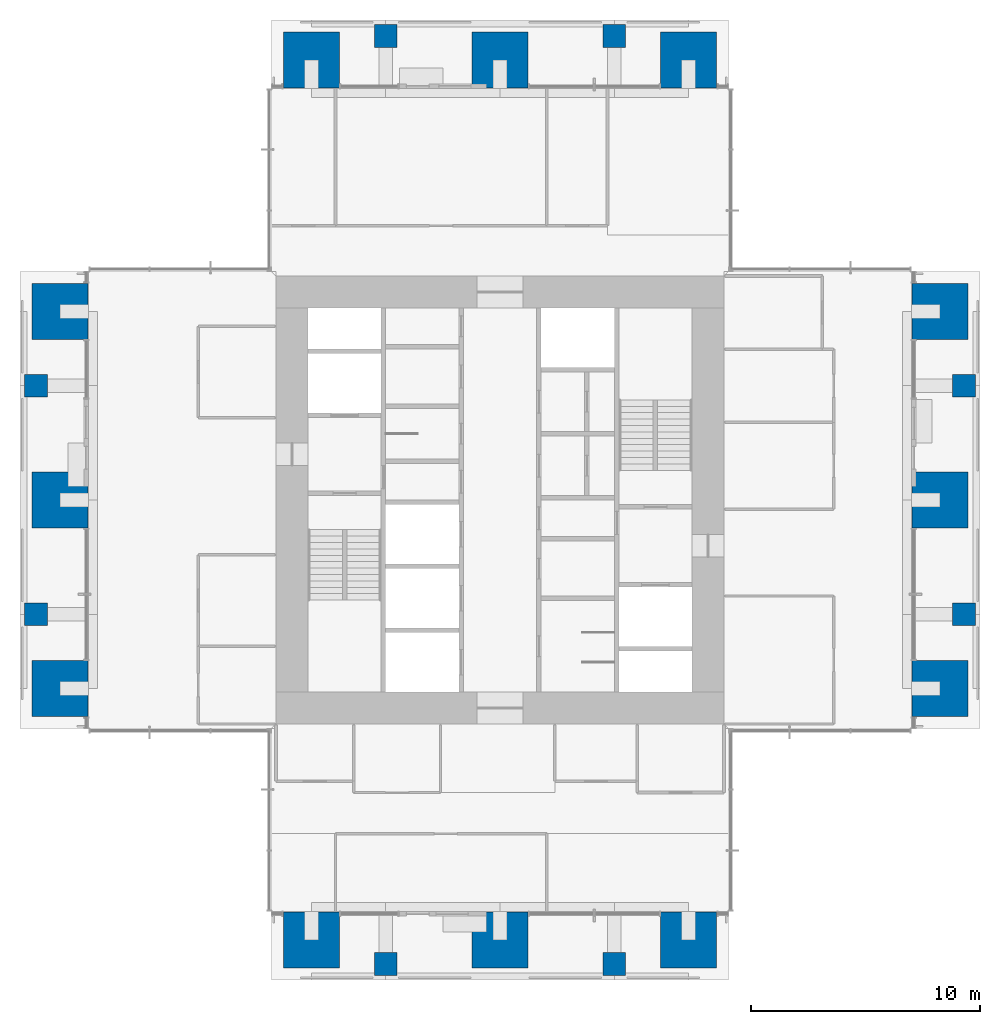
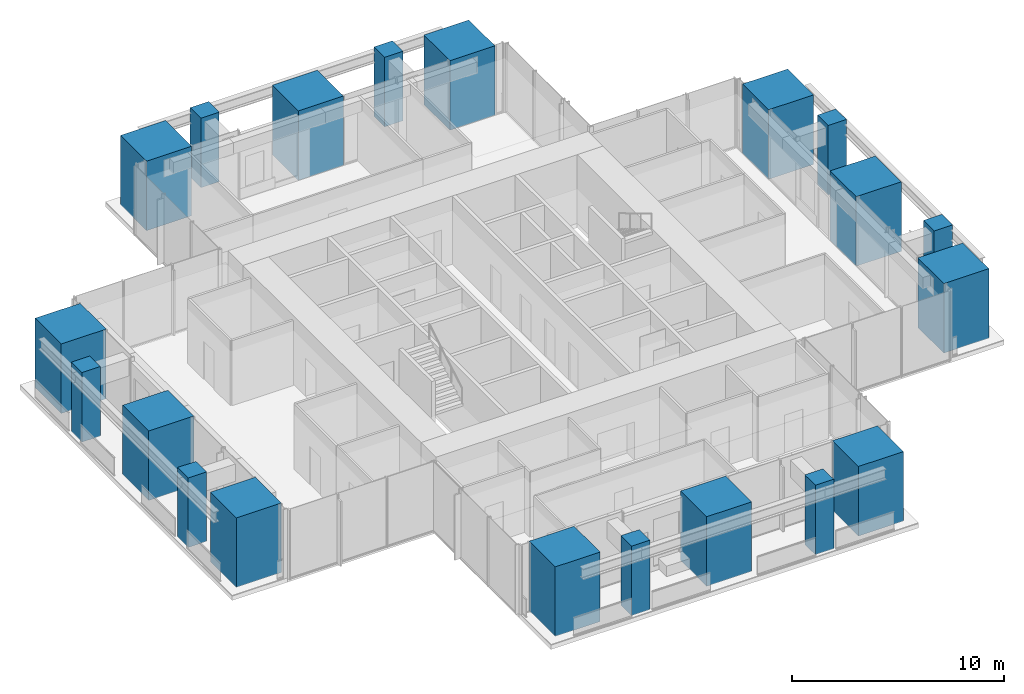
# One storey, part 1 of 17: 20 columns.
"""IFC4 building model written with IfcOpenShell, lengths in metres."""

from ifc_helpers import new_model, si_unit, direction, frame, origin, origin_2d, place, context, subcontext, project, spatial, rectangle, extrude, material, material_profile, profile_set, type_object, element, save


model = new_model("IFC4")

# Units and contexts
model_context = context("Model", 3, precision=1e-05, world=origin(), true_north=direction((0.0, 1.0)))
body_context = subcontext(model_context, "Body", "Model", "MODEL_VIEW")
ifc_project = project(units=[si_unit("LENGTHUNIT", "METRE"), si_unit("AREAUNIT", "SQUARE_METRE"), si_unit("VOLUMEUNIT", "CUBIC_METRE"), si_unit("PLANEANGLEUNIT", "RADIAN"), si_unit("MASSUNIT", "GRAM", prefix="KILO")], contexts=[model_context])

# Site, building, storey
site_placement = place(None, origin())
site = spatial("IfcSite", under=ifc_project, at=site_placement, CompositionType="ELEMENT")
building_placement = place(site_placement, origin())
building = spatial("IfcBuilding", under=site, at=building_placement, Name="Svetlomir Tower", CompositionType="ELEMENT")
storey_placement = place(building_placement, frame((0.0, 0.0, 190.5)))
storey = spatial("IfcBuildingStorey", under=building, at=storey_placement, Name="L45", CompositionType="ELEMENT", Elevation=190.5)

# Columns
ifc_material_1 = material(Name="Concrete C60/75", Category="concrete")
ifc_material_profile_1 = material_profile(ifc_material_1, rectangle(XDim=1.0, YDim=1.0, at=origin_2d()), Name="RC 1000x1000")
ifc_profile_set_1 = profile_set([ifc_material_profile_1], Name="Concrete C60/75")
column_type_1 = type_object("IfcColumnType", Name="COLUMN RC 1000x1000", PredefinedType="COLUMN", material=ifc_profile_set_1)
for number, where, z_axis, x_axis, name in (
    (1, (16.0, 0.699951171875, 0.0), (0.0, 0.0, 1.0), (1.0, 0.0, 0.0), "Column 16/0 L45"),
    (2, (26.0, 0.699951171875, 0.0), (0.0, 0.0, 1.0), (1.0, 0.0, 0.0), "Column 26/0 L45"),
    (3, (0.699951171875, 16.0, 0.0), (0.0, 0.0, 1.0), (1.0, 0.0, 0.0), "Column 0/16 L45"),
    (4, (41.300048828125, 16.0, 0.0), (0.0, 0.0, 1.0), (1.0, 0.0, 0.0), "Column 42/16 L45"),
    (5, (0.699951171875, 26.0, 0.0), (0.0, 0.0, 1.0), (1.0, 0.0, 0.0), "Column 0/26 L45"),
    (6, (41.300048828125, 26.0, 0.0), (0.0, 0.0, 1.0), (1.0, 0.0, 0.0), "Column 42/26 L45"),
    (7, (16.0, 41.300048828125, 0.0), (0.0, 0.0, 1.0), (1.0, 0.0, 0.0), "Column 16/42 L45"),
    (8, (26.0, 41.300048828125, 0.0), (0.0, 0.0, 1.0), (1.0, 0.0, 0.0), "Column 26/42 L45"),
):
    element("IfcColumn", number, at=place(storey_placement, frame(where, z_axis=z_axis, x_axis=x_axis)), inside=storey, type_object=column_type_1, Name=name, PredefinedType="COLUMN", context=body_context, shape_type="SweptSolid", body=[
        extrude(rectangle(XDim=1.0, YDim=1.0, at=origin_2d()), origin(), (0.0, 0.0, 1.0), 4.0),
    ])
ifc_material_2 = material(Name="Concrete C60/75", Category="concrete")
ifc_material_profile_2 = material_profile(ifc_material_2, rectangle(XDim=2.449951171875, YDim=2.449951171875, at=origin_2d()), Name="RC 2450x2450")
ifc_profile_set_2 = profile_set([ifc_material_profile_2], Name="Concrete C60/75")
column_type_2 = type_object("IfcColumnType", Name="COLUMN RC 2450x2450", PredefinedType="COLUMN", material=ifc_profile_set_2)
for number, where, z_axis, x_axis, name in (
    (9, (12.75, 1.75, 0.0), (0.0, 0.0, 1.0), (1.0, 0.0, 0.0), "Column 11/0 L45"),
    (10, (21.0, 1.75, 0.0), (0.0, 0.0, 1.0), (1.0, 0.0, 0.0), "Column 21/0 L45"),
    (11, (29.25, 1.75, 0.0), (0.0, 0.0, 1.0), (1.0, 0.0, 0.0), "Column 31/0 L45"),
    (12, (1.75, 12.75, 0.0), (0.0, 0.0, 1.0), (1.0, 0.0, 0.0), "Column 0/11 L45"),
    (13, (40.25, 12.75, 0.0), (0.0, 0.0, 1.0), (1.0, 0.0, 0.0), "Column 42/11 L45"),
    (14, (1.75, 21.0, 0.0), (0.0, 0.0, 1.0), (1.0, 0.0, 0.0), "Column 0/21 L45"),
    (15, (40.25, 21.0, 0.0), (0.0, 0.0, 1.0), (1.0, 0.0, 0.0), "Column 42/21 L45"),
    (16, (1.75, 29.25, 0.0), (0.0, 0.0, 1.0), (1.0, 0.0, 0.0), "Column 0/31 L45"),
    (17, (40.25, 29.25, 0.0), (0.0, 0.0, 1.0), (1.0, 0.0, 0.0), "Column 42/31 L45"),
    (18, (12.75, 40.25, 0.0), (0.0, 0.0, 1.0), (1.0, 0.0, 0.0), "Column 11/42 L45"),
    (19, (21.0, 40.25, 0.0), (0.0, 0.0, 1.0), (1.0, 0.0, 0.0), "Column 21/42 L45"),
    (20, (29.25, 40.25, 0.0), (0.0, 0.0, 1.0), (1.0, 0.0, 0.0), "Column 31/42 L45"),
):
    element("IfcColumn", number, at=place(storey_placement, frame(where, z_axis=z_axis, x_axis=x_axis)), inside=storey, type_object=column_type_2, Name=name, PredefinedType="COLUMN", context=body_context, shape_type="SweptSolid", body=[
        extrude(rectangle(XDim=2.449951171875, YDim=2.449951171875, at=origin_2d()), origin(), (0.0, 0.0, 1.0), 4.0),
    ])

save(model, "model.ifc")
